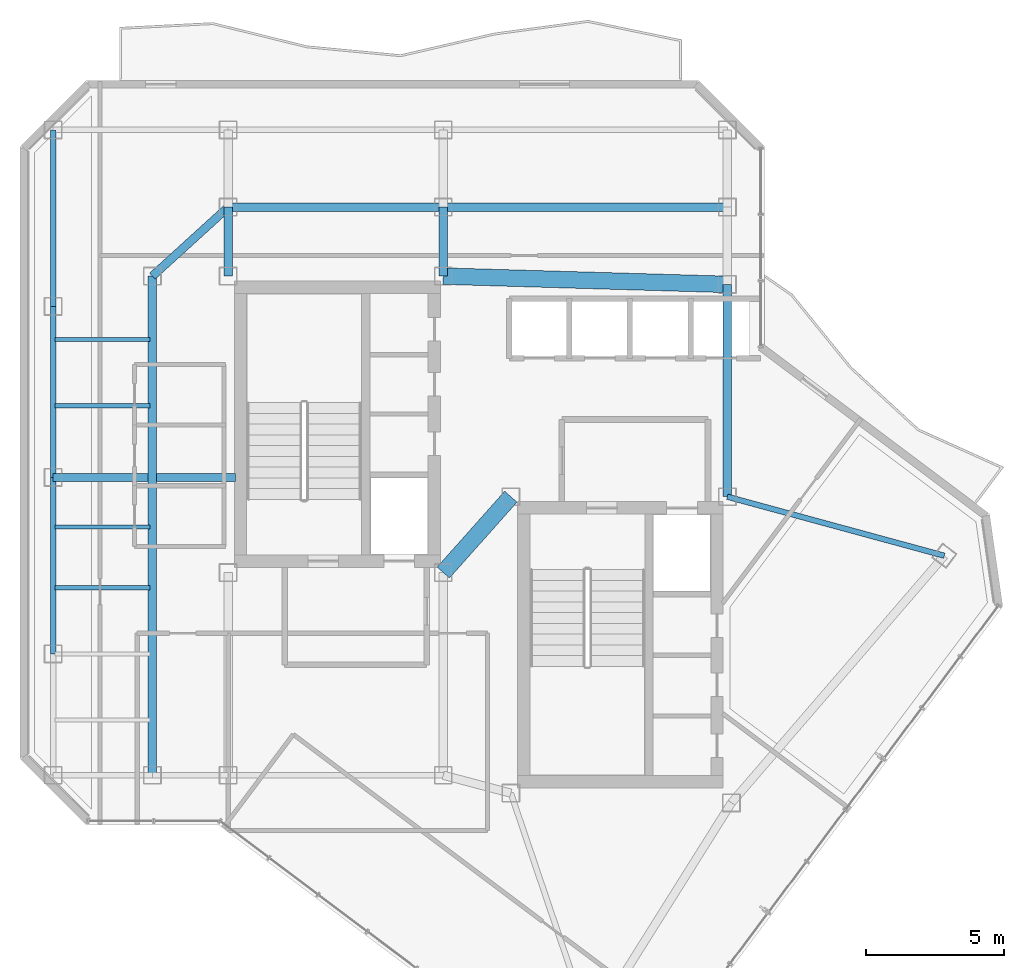
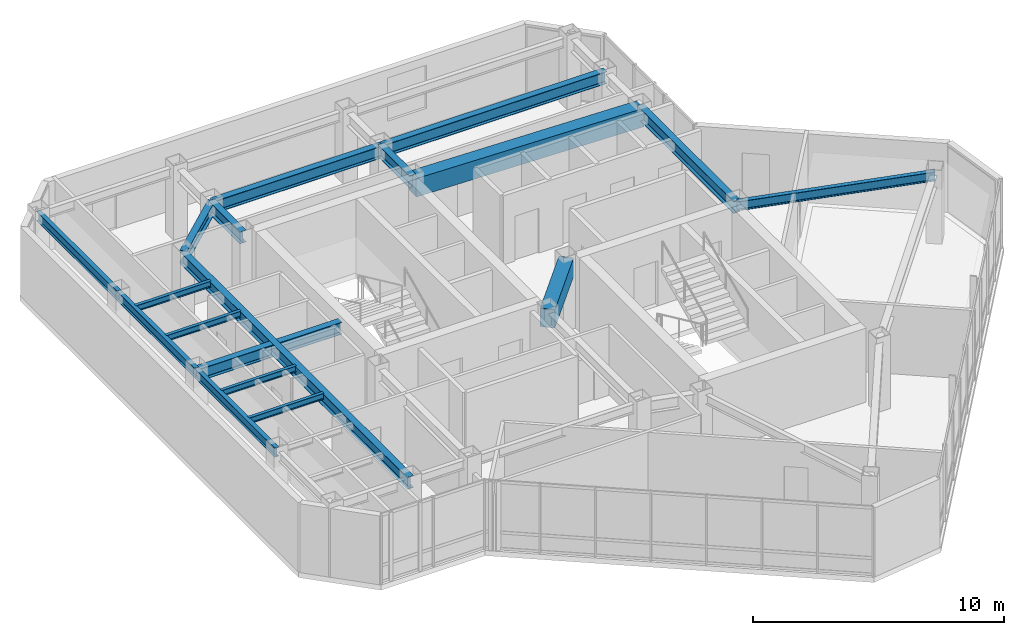
# One storey, part 8 of 18: 19 beams.
"""IFC4 building model written with IfcOpenShell, lengths in metres."""

from ifc_helpers import new_model, si_unit, direction, frame, origin, origin_2d, place, context, subcontext, project, spatial, rectangle, i_section, extrude, material, material_profile, profile_set, type_object, element, save


model = new_model("IFC4")

# Units and contexts
model_context = context("Model", 3, precision=1e-05, world=origin(), true_north=direction((0.0, 1.0)))
body_context = subcontext(model_context, "Body", "Model", "MODEL_VIEW")
ifc_project = project(units=[si_unit("LENGTHUNIT", "METRE"), si_unit("AREAUNIT", "SQUARE_METRE"), si_unit("VOLUMEUNIT", "CUBIC_METRE"), si_unit("PLANEANGLEUNIT", "RADIAN"), si_unit("MASSUNIT", "GRAM", prefix="KILO")], contexts=[model_context])

# Site, building, storey
site_placement = place(None, origin())
site = spatial("IfcSite", under=ifc_project, at=site_placement, CompositionType="ELEMENT")
building_placement = place(site_placement, origin())
building = spatial("IfcBuilding", under=site, at=building_placement, Name="Hatsunagi Terrace Concourse", CompositionType="ELEMENT")
storey_placement = place(building_placement, frame((0.0, 0.0, 250.35009765625)))
storey = spatial("IfcBuildingStorey", under=building, at=storey_placement, Name="L66", CompositionType="ELEMENT", Elevation=250.35009765625)

# Beams
ifc_material_1 = material(Name="Concrete Fc42", Category="concrete")
ifc_material_profile_1 = material_profile(ifc_material_1, rectangle(XDim=0.60009765625, YDim=0.89990234375, at=origin_2d()), Name="RC-600x900")
ifc_profile_set_1 = profile_set([ifc_material_profile_1], Name="Concrete Fc42")
beam_type_1 = type_object("IfcBeamType", Name="CoreCouplingBeam_RC_600x900", PredefinedType="BEAM", material=ifc_profile_set_1)
beam_1_placement = place(storey_placement, frame((33.35009765625, 32.550048828125, 2.89990234375), z_axis=(0.665198651008, 0.746666427997, 0.0), x_axis=(-0.746666427997, 0.665198651008, 0.0)))
element("IfcBeam", 1, at=beam_1_placement, inside=storey, type_object=beam_type_1, Name="Beam CB-03 CB-L66-1", PredefinedType="BEAM", context=body_context, shape_type="SweptSolid", body=[
    extrude(rectangle(XDim=0.60009765625, YDim=0.89990234375, at=origin_2d()), origin(), (0.0, 0.0, 1.0), 3.68310546875),
])
beam_2_placement = place(storey_placement, frame((33.35009765625, 43.300048828125, 2.89990234375), z_axis=(0.999575947545, -0.029119153303, 0.0), x_axis=(0.029119153303, 0.999575947545, 0.0)))
element("IfcBeam", 2, at=beam_2_placement, inside=storey, type_object=beam_type_1, Name="Beam CB-03 CB-L66-2", PredefinedType="BEAM", context=body_context, shape_type="SweptSolid", body=[
    extrude(rectangle(XDim=0.60009765625, YDim=0.89990234375, at=origin_2d()), origin(), (0.0, 0.0, 1.0), 10.30419921875),
])
ifc_material_2 = material(Name="Steel SN490B", Category="steel")
ifc_material_profile_2 = material_profile(ifc_material_2, i_section(OverallWidth=0.300048828125, OverallDepth=0.587890625, WebThickness=0.011962890625, FlangeThickness=0.02001953125, FilletRadius=0.01806640625, at=origin_2d()), Name="H-588x300x12x20")
ifc_profile_set_2 = profile_set([ifc_material_profile_2], Name="Steel SN490B")
beam_type_2 = type_object("IfcBeamType", Name="OfficeHighGirder_H_588x300", PredefinedType="BEAM", material=ifc_profile_set_2)
beam_3_placement = place(storey_placement, frame((43.64990234375, 35.300048828125, 3.055908203125), z_axis=(0.0, 1.0, 0.0), x_axis=(-1.0, 0.0, 0.0)))
element("IfcBeam", 3, at=beam_3_placement, inside=storey, type_object=beam_type_2, Name="Beam G-06 BM-L66-CBK3", PredefinedType="BEAM", context=body_context, shape_type="SweptSolid", body=[
    extrude(i_section(OverallWidth=0.300048828125, OverallDepth=0.587890625, WebThickness=0.011962890625, FlangeThickness=0.02001953125, FilletRadius=0.01806640625, at=origin_2d()), origin(), (0.0, 0.0, 1.0), 7.699951171875),
])
for number, where, z_axis, x_axis, name in (
    (4, (25.550048828125, 43.300048828125, 3.055908203125), (0.0, 1.0, 0.0), (-1.0, 0.0, 0.0), "Beam G-06 BM-L66-CN1"),
    (5, (33.35009765625, 43.300048828125, 3.055908203125), (0.0, 1.0, 0.0), (-1.0, 0.0, 0.0), "Beam G-06 BM-L66-CN2"),
):
    element("IfcBeam", number, at=place(storey_placement, frame(where, z_axis=z_axis, x_axis=x_axis)), inside=storey, type_object=beam_type_2, Name=name, PredefinedType="BEAM", context=body_context, shape_type="SweptSolid", body=[
        extrude(i_section(OverallWidth=0.300048828125, OverallDepth=0.587890625, WebThickness=0.011962890625, FlangeThickness=0.02001953125, FilletRadius=0.01806640625, at=origin_2d()), origin(), (0.0, 0.0, 1.0), 2.5),
    ])
beam_4_placement = place(storey_placement, frame((25.550048828125, 45.800048828125, 3.055908203125), z_axis=(1.0, 0.0, 0.0), x_axis=(0.0, 1.0, 0.0)))
element("IfcBeam", 6, at=beam_4_placement, inside=storey, type_object=beam_type_2, Name="Beam G-06 BM-L66-CNEW1", PredefinedType="BEAM", context=body_context, shape_type="SweptSolid", body=[
    extrude(i_section(OverallWidth=0.300048828125, OverallDepth=0.587890625, WebThickness=0.011962890625, FlangeThickness=0.02001953125, FilletRadius=0.01806640625, at=origin_2d()), origin(), (0.0, 0.0, 1.0), 7.800048828125),
])
beam_5_placement = place(storey_placement, frame((33.35009765625, 45.800048828125, 3.055908203125), z_axis=(1.0, 0.0, 0.0), x_axis=(0.0, 1.0, 0.0)))
element("IfcBeam", 7, at=beam_5_placement, inside=storey, type_object=beam_type_2, Name="Beam G-06 BM-L66-CNEW2", PredefinedType="BEAM", context=body_context, shape_type="SweptSolid", body=[
    extrude(i_section(OverallWidth=0.300048828125, OverallDepth=0.587890625, WebThickness=0.011962890625, FlangeThickness=0.02001953125, FilletRadius=0.01806640625, at=origin_2d()), origin(), (0.0, 0.0, 1.0), 10.2998046875),
])
beam_6_placement = place(storey_placement, frame((22.800048828125, 25.199951171875, 3.055908203125), z_axis=(0.0, 1.0, 0.0), x_axis=(-1.0, 0.0, 0.0)))
element("IfcBeam", 8, at=beam_6_placement, inside=storey, type_object=beam_type_2, Name="Beam G-06 BM-L66-CWNS", PredefinedType="BEAM", context=body_context, shape_type="SweptSolid", body=[
    extrude(i_section(OverallWidth=0.300048828125, OverallDepth=0.587890625, WebThickness=0.011962890625, FlangeThickness=0.02001953125, FilletRadius=0.01806640625, at=origin_2d()), origin(), (0.0, 0.0, 1.0), 18.10009765625),
])
beam_7_placement = place(storey_placement, frame((22.800048828125, 43.300048828125, 3.055908203125), z_axis=(0.739940073396, 0.672672793996, 0.0), x_axis=(-0.672672793996, 0.739940073396, 0.0)))
element("IfcBeam", 9, at=beam_7_placement, inside=storey, type_object=beam_type_2, Name="Beam G-06 BM-L66-CWEW-N", PredefinedType="BEAM", context=body_context, shape_type="SweptSolid", body=[
    extrude(i_section(OverallWidth=0.300048828125, OverallDepth=0.587890625, WebThickness=0.011962890625, FlangeThickness=0.02001953125, FilletRadius=0.01806640625, at=origin_2d()), origin(), (0.0, 0.0, 1.0), 3.716552734375),
])
beam_8_placement = place(storey_placement, frame((19.199951171875, 36.0, 3.055908203125), z_axis=(1.0, 0.0, 0.0), x_axis=(0.0, 1.0, 0.0)))
element("IfcBeam", 10, at=beam_8_placement, inside=storey, type_object=beam_type_2, Name="Beam G-06 BM-L66-EW-3", PredefinedType="BEAM", context=body_context, shape_type="SweptSolid", body=[
    extrude(i_section(OverallWidth=0.300048828125, OverallDepth=0.587890625, WebThickness=0.011962890625, FlangeThickness=0.02001953125, FilletRadius=0.01806640625, at=origin_2d()), origin(), (0.0, 0.0, 1.0), 3.449951171875),
])
beam_9_placement = place(storey_placement, frame((22.949951171875, 36.0, 3.055908203125), z_axis=(1.0, 0.0, 0.0), x_axis=(0.0, 1.0, 0.0)))
element("IfcBeam", 11, at=beam_9_placement, inside=storey, type_object=beam_type_2, Name="Beam G-06 BM-L66-EW-4", PredefinedType="BEAM", context=body_context, shape_type="SweptSolid", body=[
    extrude(i_section(OverallWidth=0.300048828125, OverallDepth=0.587890625, WebThickness=0.011962890625, FlangeThickness=0.02001953125, FilletRadius=0.01806640625, at=origin_2d()), origin(), (0.0, 0.0, 1.0), 2.860107421875),
])
ifc_material_3 = material(Name="Steel SN490B", Category="steel")
ifc_material_profile_3 = material_profile(ifc_material_3, i_section(OverallWidth=0.14990234375, OverallDepth=0.300048828125, WebThickness=0.006591796875, FlangeThickness=0.009033203125, FilletRadius=0.010986328125, at=origin_2d()), Name="H-300x150x6.5x9")
ifc_profile_set_3 = profile_set([ifc_material_profile_3], Name="Steel SN490B")
beam_type_3 = type_object("IfcBeamType", Name="OfficeJoist_H_300x150", PredefinedType="JOIST", material=ifc_profile_set_3)
for number, where, z_axis, x_axis, name in (
    (12, (19.264892578125, 32.0, 3.199951171875), (1.0, 0.0, 0.0), (0.0, 1.0, 0.0), "Beam J-03 J-L66-W-19-320"),
    (13, (19.264892578125, 34.199951171875, 3.199951171875), (1.0, 0.0, 0.0), (0.0, 1.0, 0.0), "Beam J-03 J-L66-W-19-342"),
    (14, (19.264892578125, 38.60009765625, 3.199951171875), (1.0, 0.0, 0.0), (0.0, 1.0, 0.0), "Beam J-03 J-L66-W-19-386"),
    (15, (19.264892578125, 41.0, 3.199951171875), (1.0, 0.0, 0.0), (0.0, 1.0, 0.0), "Beam J-03 J-L66-W-19-410"),
):
    element("IfcBeam", number, at=place(storey_placement, frame(where, z_axis=z_axis, x_axis=x_axis)), inside=storey, type_object=beam_type_3, Name=name, PredefinedType="JOIST", context=body_context, shape_type="SweptSolid", body=[
        extrude(i_section(OverallWidth=0.14990234375, OverallDepth=0.300048828125, WebThickness=0.006591796875, FlangeThickness=0.009033203125, FilletRadius=0.010986328125, at=origin_2d()), origin(), (0.0, 0.0, 1.0), 3.4501953125),
    ])
ifc_material_4 = material(Name="Steel SN490B", Category="steel")
ifc_material_profile_4 = material_profile(ifc_material_4, i_section(OverallWidth=0.199951171875, OverallDepth=0.449951171875, WebThickness=0.009033203125, FlangeThickness=0.013916015625, FilletRadius=0.01611328125, at=origin_2d()), Name="H-450x200x9x14")
ifc_profile_set_4 = profile_set([ifc_material_profile_4], Name="Steel SN490B")
beam_type_4 = type_object("IfcBeamType", Name="PerimeterSpandrel_H_450x200", PredefinedType="SPANDREL", material=ifc_profile_set_4)
beam_10_placement = place(storey_placement, frame((19.199951171875, 29.60009765625, 3.125), z_axis=(0.0, 1.0, 0.0), x_axis=(-1.0, 0.0, 0.0)))
element("IfcBeam", 16, at=beam_10_placement, inside=storey, type_object=beam_type_4, Name="Beam SP-02 BM-L66-NS-19-29", PredefinedType="SPANDREL", context=body_context, shape_type="SweptSolid", body=[
    extrude(i_section(OverallWidth=0.199951171875, OverallDepth=0.449951171875, WebThickness=0.009033203125, FlangeThickness=0.013916015625, FilletRadius=0.01611328125, at=origin_2d()), origin(), (0.0, 0.0, 1.0), 6.39990234375),
])
beam_11_placement = place(storey_placement, frame((19.199951171875, 36.0, 3.125), z_axis=(0.0, 1.0, 0.0), x_axis=(-1.0, 0.0, 0.0)))
element("IfcBeam", 17, at=beam_11_placement, inside=storey, type_object=beam_type_4, Name="Beam SP-02 BM-L66-NS-19-36", PredefinedType="SPANDREL", context=body_context, shape_type="SweptSolid", body=[
    extrude(i_section(OverallWidth=0.199951171875, OverallDepth=0.449951171875, WebThickness=0.009033203125, FlangeThickness=0.013916015625, FilletRadius=0.01611328125, at=origin_2d()), origin(), (0.0, 0.0, 1.0), 6.199951171875),
])
beam_12_placement = place(storey_placement, frame((19.199951171875, 42.199951171875, 3.125), z_axis=(0.0, 1.0, 0.0), x_axis=(-1.0, 0.0, 0.0)))
element("IfcBeam", 18, at=beam_12_placement, inside=storey, type_object=beam_type_4, Name="Beam SP-02 BM-L66-NS-19-42", PredefinedType="SPANDREL", context=body_context, shape_type="SweptSolid", body=[
    extrude(i_section(OverallWidth=0.199951171875, OverallDepth=0.449951171875, WebThickness=0.009033203125, FlangeThickness=0.013916015625, FilletRadius=0.01611328125, at=origin_2d()), origin(), (0.0, 0.0, 1.0), 6.400146484375),
])
beam_13_placement = place(storey_placement, frame((43.64990234375, 35.300048828125, 3.125), z_axis=(0.964958359286, -0.262403057994, 0.0), x_axis=(0.262403057994, 0.964958359286, 0.0)))
element("IfcBeam", 19, at=beam_13_placement, inside=storey, type_object=beam_type_4, Name="Beam SP-02 BM-L66-SE-NE0", PredefinedType="SPANDREL", context=body_context, shape_type="SweptSolid", body=[
    extrude(i_section(OverallWidth=0.199951171875, OverallDepth=0.449951171875, WebThickness=0.009033203125, FlangeThickness=0.013916015625, FilletRadius=0.01611328125, at=origin_2d()), origin(), (0.0, 0.0, 1.0), 8.156005859375),
])

save(model, "model.ifc")
